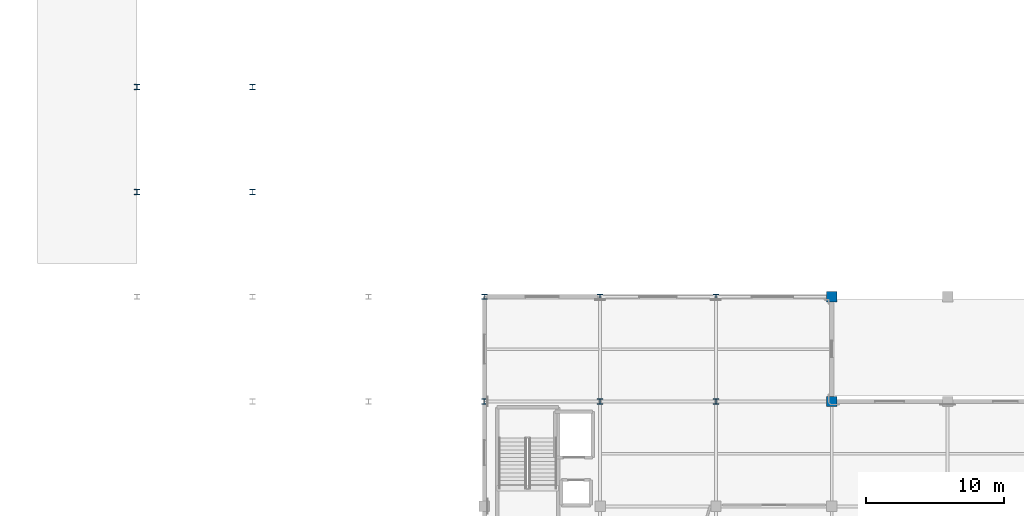
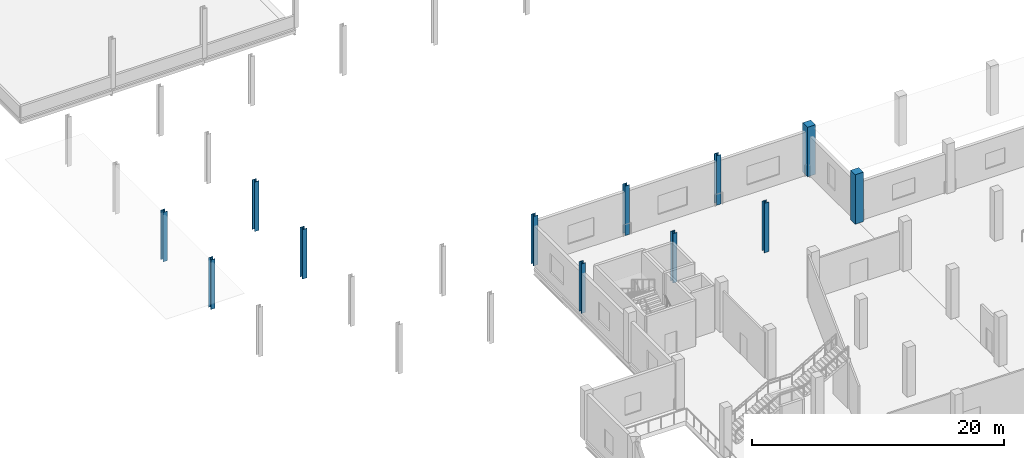
# One storey, part 2 of 51: 12 columns.
"""IFC4 building model written with IfcOpenShell, lengths in metres."""

from ifc_helpers import new_model, si_unit, direction, frame, origin, origin_2d, place, context, subcontext, project, spatial, rectangle, i_section, extrude, material, material_profile, profile_set, type_object, element, save


model = new_model("IFC4")

# Units and contexts
model_context = context("Model", 3, precision=1e-05, world=origin(), true_north=direction((0.0, 1.0)))
body_context = subcontext(model_context, "Body", "Model", "MODEL_VIEW")
ifc_project = project(units=[si_unit("LENGTHUNIT", "METRE"), si_unit("AREAUNIT", "SQUARE_METRE"), si_unit("VOLUMEUNIT", "CUBIC_METRE"), si_unit("PLANEANGLEUNIT", "RADIAN"), si_unit("MASSUNIT", "GRAM", prefix="KILO")], contexts=[model_context])

# Site, building, storey
site_placement = place(None, origin())
site = spatial("IfcSite", under=ifc_project, at=site_placement, CompositionType="ELEMENT")
building_placement = place(site_placement, origin())
building = spatial("IfcBuilding", under=site, at=building_placement, Name="Zuvorla Pavilion Media Centre", CompositionType="ELEMENT")
storey_placement = place(building_placement, frame((0.0, 0.0, 4.800048828125)))
storey = spatial("IfcBuildingStorey", under=building, at=storey_placement, Name="L01", CompositionType="ELEMENT", Elevation=4.800048828125)

# Columns
ifc_material_1 = material(Name="Concrete C40/50", Category="concrete")
ifc_material_profile_1 = material_profile(ifc_material_1, rectangle(XDim=0.75, YDim=0.75, at=origin_2d()), Name="RC 750x750")
ifc_profile_set_1 = profile_set([ifc_material_profile_1], Name="Concrete C40/50")
column_type_1 = type_object("IfcColumnType", Name="COL-RC750", PredefinedType="COLUMN", material=ifc_profile_set_1)
for number, where, z_axis, x_axis, name in (
    (1, (66.800048828125, 44.0, 0.0), (0.0, 0.0, 1.0), (1.0, 0.0, 0.0), "L01 column C02 509"),
    (2, (66.800048828125, 51.60009765625, 0.0), (0.0, 0.0, 1.0), (1.0, 0.0, 0.0), "L01 column C02 605"),
):
    element("IfcColumn", number, at=place(storey_placement, frame(where, z_axis=z_axis, x_axis=x_axis)), inside=storey, type_object=column_type_1, Name=name, PredefinedType="COLUMN", context=body_context, shape_type="SweptSolid", body=[
        extrude(rectangle(XDim=0.75, YDim=0.75, at=origin_2d()), origin(), (0.0, 0.0, 1.0), 4.800048828125),
    ])
ifc_material_2 = material(Name="Steel S355", Category="steel")
ifc_material_profile_2 = material_profile(ifc_material_2, i_section(OverallWidth=0.39892578125, OverallDepth=0.3935546875, WebThickness=0.022705078125, FlangeThickness=0.03662109375, FilletRadius=0.01513671875, at=origin_2d()), Name="UC 356x406x287")
ifc_profile_set_2 = profile_set([ifc_material_profile_2], Name="Steel S355")
column_type_2 = type_object("IfcColumnType", Name="COL-UC356H", PredefinedType="COLUMN", material=ifc_profile_set_2)
for number, where, z_axis, x_axis, name in (
    (3, (41.60009765625, 44.0, 0.0), (0.0, 0.0, 1.0), (1.0, 0.0, 0.0), "L01 column C08 491"),
    (4, (50.0, 44.0, 0.0), (0.0, 0.0, 1.0), (1.0, 0.0, 0.0), "L01 column C08 497"),
    (5, (58.39990234375, 44.0, 0.0), (0.0, 0.0, 1.0), (1.0, 0.0, 0.0), "L01 column C08 503"),
    (6, (41.60009765625, 51.60009765625, 0.0), (0.0, 0.0, 1.0), (1.0, 0.0, 0.0), "L01 column C08 590"),
    (7, (50.0, 51.60009765625, 0.0), (0.0, 0.0, 1.0), (1.0, 0.0, 0.0), "L01 column C08 595"),
    (8, (58.39990234375, 51.60009765625, 0.0), (0.0, 0.0, 1.0), (1.0, 0.0, 0.0), "L01 column C08 600"),
    (9, (16.39990234375, 59.199951171875, 0.0), (0.0, 0.0, 1.0), (1.0, 0.0, 0.0), "L01 column C08 670"),
    (10, (24.800048828125, 59.199951171875, 0.0), (0.0, 0.0, 1.0), (1.0, 0.0, 0.0), "L01 column C08 675"),
    (11, (16.39990234375, 66.800048828125, 0.0), (0.0, 0.0, 1.0), (1.0, 0.0, 0.0), "L01 column C08 696"),
    (12, (24.800048828125, 66.800048828125, 0.0), (0.0, 0.0, 1.0), (1.0, 0.0, 0.0), "L01 column C08 701"),
):
    element("IfcColumn", number, at=place(storey_placement, frame(where, z_axis=z_axis, x_axis=x_axis)), inside=storey, type_object=column_type_2, Name=name, PredefinedType="COLUMN", context=body_context, shape_type="SweptSolid", body=[
        extrude(i_section(OverallWidth=0.39892578125, OverallDepth=0.3935546875, WebThickness=0.022705078125, FlangeThickness=0.03662109375, FilletRadius=0.01513671875, at=origin_2d()), origin(), (0.0, 0.0, 1.0), 4.800048828125),
    ])

save(model, "model.ifc")
